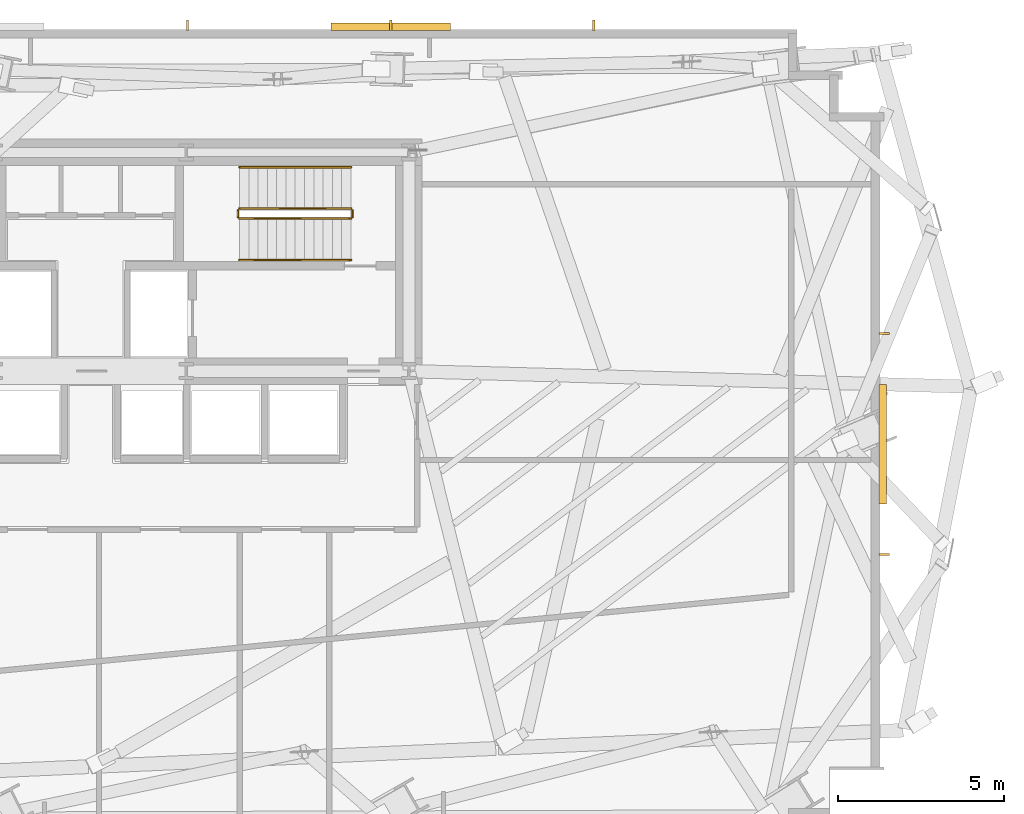
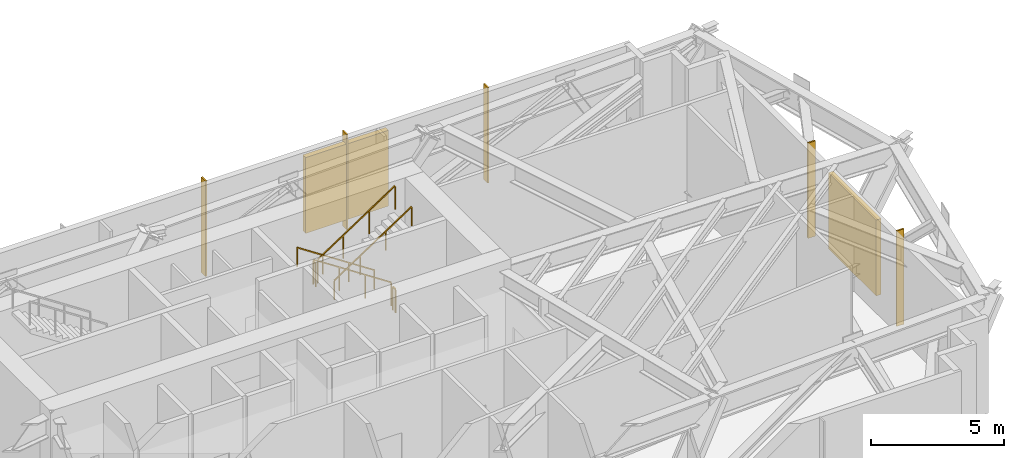
# One storey, part 11 of 11: 7 shading devices, 6 railings.
"""IFC4 building model written with IfcOpenShell, lengths in metres."""

from ifc_helpers import new_model, si_unit, direction, frame, origin, origin_2d, place, context, subcontext, project, spatial, rectangle, extrude, source, transform, mapped, material, type_object, type_shapes, element, save


model = new_model("IFC4")

# Units and contexts
model_context = context("Model", 3, precision=1e-05, world=origin(), true_north=direction((0.0, 1.0)))
body_context = subcontext(model_context, "Body", "Model", "MODEL_VIEW")
ifc_project = project(units=[si_unit("LENGTHUNIT", "METRE"), si_unit("AREAUNIT", "SQUARE_METRE"), si_unit("VOLUMEUNIT", "CUBIC_METRE"), si_unit("PLANEANGLEUNIT", "RADIAN"), si_unit("MASSUNIT", "GRAM", prefix="KILO")], contexts=[model_context])

# Site, building, storey
site_placement = place(None, origin())
site = spatial("IfcSite", under=ifc_project, at=site_placement, CompositionType="ELEMENT")
building_placement = place(site_placement, origin())
building = spatial("IfcBuilding", under=site, at=building_placement, Name="Astriad Promenade Condominiums", CompositionType="ELEMENT")
storey_placement = place(building_placement, frame((0.0, 0.0, 67.800048828125)))
storey = spatial("IfcBuildingStorey", under=building, at=storey_placement, Name="L19", CompositionType="ELEMENT", Elevation=67.800048828125)

# Shading devices
ifc_material_1 = material(Name="Anodised aluminium 6063-T6 Black Louvre", Category="aluminium")
shading_device_type_1 = type_object("IfcShadingDeviceType", Name="LOUVRE-ACOUSTIC-220", PredefinedType="JALOUSIE", material=ifc_material_1)
shared_shape_1 = source(origin(), body_context, "Body", "SweptSolid", [
    extrude(rectangle(XDim=3.60009765625, YDim=0.219970703125, at=origin_2d()), origin(), (0.0, 0.0, 1.0), 3.47998046875),
])
type_shapes(shading_device_type_1, [shared_shape_1])
for number, where, z_axis, x_axis, name in (
    (1, (45.050048828125, 27.7900390625, 0.449951171875), (0.0, 0.0, 1.0), (1.0, 0.0, 0.0), "LVR-L19-N-3"),
    (2, (59.889892578125, 15.199951171875, 0.449951171875), (0.0, 0.0, 1.0), (0.0, -1.0, 0.0), "LVR-L19-E-1"),
):
    element("IfcShadingDevice", number, at=place(storey_placement, frame(where, z_axis=z_axis, x_axis=x_axis)), inside=storey, type_object=shading_device_type_1, Name=name, PredefinedType="JALOUSIE", context=body_context, shape_type="MappedRepresentation", body=[
        mapped(shared_shape_1, transform((0.0, 0.0, 0.0), scale=1.0)),
    ])
ifc_material_2 = material(Name="Anodised aluminium 6063-T6 Black Fin", Category="aluminium")
shading_device_type_2 = type_object("IfcShadingDeviceType", Name="FIN-BLACK-320", PredefinedType="USERDEFINED", material=ifc_material_2)
shared_shape_2 = source(origin(), body_context, "Body", "SweptSolid", [
    extrude(rectangle(XDim=0.06494140625, YDim=0.320068359375, at=origin_2d()), origin(), (0.0, 0.0, 1.0), 4.3798828125),
])
type_shapes(shading_device_type_2, [shared_shape_2])
for number, where, z_axis, x_axis, name in (
    (3, (38.925048828125, 27.830078125, 0.0), (0.0, 0.0, 1.0), (1.0, 0.0, 0.0), "FIN-PLT-L19-N-05"),
    (4, (45.050048828125, 27.830078125, 0.0), (0.0, 0.0, 1.0), (1.0, 0.0, 0.0), "FIN-PLT-L19-N-06"),
    (5, (51.175048828125, 27.830078125, 0.0), (0.0, 0.0, 1.0), (1.0, 0.0, 0.0), "FIN-PLT-L19-N-07"),
    (6, (59.929931640625, 18.533203125, 0.0), (0.0, 0.0, 1.0), (0.0, -1.0, 0.0), "FIN-PLT-L19-E-01"),
    (7, (59.929931640625, 11.86669921875, 0.0), (0.0, 0.0, 1.0), (0.0, -1.0, 0.0), "FIN-PLT-L19-E-02"),
):
    element("IfcShadingDevice", number, at=place(storey_placement, frame(where, z_axis=z_axis, x_axis=x_axis)), inside=storey, type_object=shading_device_type_2, Name=name, ObjectType="FIN", PredefinedType="USERDEFINED", context=body_context, shape_type="MappedRepresentation", body=[
        mapped(shared_shape_2, transform((0.0, 0.0, 0.0), scale=1.0)),
    ])

# Railings
ifc_material_3 = material(Name="Painted Galvanised Steel Guardrail", Category="steel")
railing_type_1 = type_object("IfcRailingType", Name="GRD-STAIR-1100", PredefinedType="GUARDRAIL", material=ifc_material_3)
shared_shape_3 = source(origin(), body_context, "Body", "SweptSolid", [
    extrude(rectangle(XDim=0.048095703125, YDim=0.048095703125, at=origin_2d()), frame((0.0, 0.0, 1.076171875), z_axis=(-0.834876476806, 0.0, 0.550437342915), x_axis=(0.0, -1.0, 0.0)), (0.0, 0.0, 1.0), 4.024658203125),
    extrude(rectangle(XDim=0.0419921875, YDim=0.0419921875, at=origin_2d()), origin(), (0.0, 0.0, 1.0), 1.052001953125),
    extrude(rectangle(XDim=0.0419921875, YDim=0.0419921875, at=origin_2d()), frame((-1.1201171875, 0.0, 0.738525390625)), (0.0, 0.0, 1.0), 1.052001953125),
    extrude(rectangle(XDim=0.0419921875, YDim=0.0419921875, at=origin_2d()), frame((-2.239990234375, 0.0, 1.476806640625)), (0.0, 0.0, 1.0), 1.052001953125),
    extrude(rectangle(XDim=0.0419921875, YDim=0.0419921875, at=origin_2d()), frame((-3.360107421875, 0.0, 2.21533203125)), (0.0, 0.0, 1.0), 1.052001953125),
])
railing_1_placement = place(storey_placement, frame((43.85009765625, 22.300048828125, 0.1845703125)))
element("IfcRailing", 8, at=railing_1_placement, inside=storey, type_object=railing_type_1, Name="L19 ST-2 stair guard 1", PredefinedType="GUARDRAIL", context=body_context, shape_type="MappedRepresentation", body=[
    mapped(shared_shape_3, transform((0.0, 0.0, 0.0), scale=1.0)),
])
ifc_material_4 = material(Name="Brushed Stainless Steel Handrail", Category="steel")
railing_type_2 = type_object("IfcRailingType", Name="HRL-STAIR-920", PredefinedType="HANDRAIL", material=ifc_material_4)
shared_shape_4 = source(origin(), body_context, "Body", "SweptSolid", [
    extrude(rectangle(XDim=0.048095703125, YDim=0.048095703125, at=origin_2d()), frame((0.0, 0.0, 0.8759765625), z_axis=(-0.834876476806, 0.0, 0.550437342915), x_axis=(0.0, -1.0, 0.0)), (0.0, 0.0, 1.0), 4.024658203125),
    extrude(rectangle(XDim=0.0419921875, YDim=0.0419921875, at=origin_2d()), origin(), (0.0, 0.0, 1.0), 0.851806640625),
    extrude(rectangle(XDim=0.0419921875, YDim=0.0419921875, at=origin_2d()), frame((-1.1201171875, 0.0, 0.738525390625)), (0.0, 0.0, 1.0), 0.851806640625),
    extrude(rectangle(XDim=0.0419921875, YDim=0.0419921875, at=origin_2d()), frame((-2.239990234375, 0.0, 1.476806640625)), (0.0, 0.0, 1.0), 0.851806640625),
    extrude(rectangle(XDim=0.0419921875, YDim=0.0419921875, at=origin_2d()), frame((-3.360107421875, 0.0, 2.21533203125)), (0.0, 0.0, 1.0), 0.851806640625),
])
railing_2_placement = place(storey_placement, frame((43.85009765625, 23.550048828125, 0.1845703125)))
element("IfcRailing", 9, at=railing_2_placement, inside=storey, type_object=railing_type_2, Name="L19 ST-2 stair handrail 1", PredefinedType="HANDRAIL", context=body_context, shape_type="MappedRepresentation", body=[
    mapped(shared_shape_4, transform((0.0, 0.0, 0.0), scale=1.0)),
])
shared_shape_5 = source(origin(), body_context, "Body", "SweptSolid", [
    extrude(rectangle(XDim=0.048095703125, YDim=0.048095703125, at=origin_2d()), frame((0.0, 0.0, 1.076171875), z_axis=(0.0, -1.0, 0.0), x_axis=(1.0, 0.0, 0.0)), (0.0, 0.0, 1.0), 0.199951171875),
    extrude(rectangle(XDim=0.0419921875, YDim=0.0419921875, at=origin_2d()), origin(), (0.0, 0.0, 1.0), 1.052001953125),
    extrude(rectangle(XDim=0.0419921875, YDim=0.0419921875, at=origin_2d()), frame((0.0, -0.199951171875, 0.0)), (0.0, 0.0, 1.0), 1.052001953125),
])
for number, where, name in (
    (10, (40.43994140625, 22.25, 2.39990234375), "L19 ST-2 stair guard 2"),
    (11, (43.89990234375, 22.25, 0.0), "L19 ST-2 stair guard 4"),
):
    element("IfcRailing", number, at=place(storey_placement, frame(where)), inside=storey, type_object=railing_type_1, Name=name, PredefinedType="GUARDRAIL", context=body_context, shape_type="MappedRepresentation", body=[
        mapped(shared_shape_5, transform((0.0, 0.0, 0.0), scale=1.0)),
    ])
shared_shape_6 = source(origin(), body_context, "Body", "SweptSolid", [
    extrude(rectangle(XDim=0.048095703125, YDim=0.048095703125, at=origin_2d()), frame((0.0, 0.0, 1.076171875), z_axis=(0.834848600103, 0.0, 0.550479622607), x_axis=(0.0, 1.0, 0.0)), (0.0, 0.0, 1.0), 4.02490234375),
    extrude(rectangle(XDim=0.0419921875, YDim=0.0419921875, at=origin_2d()), origin(), (0.0, 0.0, 1.0), 1.052001953125),
    extrude(rectangle(XDim=0.0419921875, YDim=0.0419921875, at=origin_2d()), frame((1.1201171875, 0.0, 0.738525390625)), (0.0, 0.0, 1.0), 1.052001953125),
    extrude(rectangle(XDim=0.0419921875, YDim=0.0419921875, at=origin_2d()), frame((2.239990234375, 0.0, 1.47705078125)), (0.0, 0.0, 1.0), 1.052001953125),
    extrude(rectangle(XDim=0.0419921875, YDim=0.0419921875, at=origin_2d()), frame((3.360107421875, 0.0, 2.215576171875)), (0.0, 0.0, 1.0), 1.052001953125),
])
type_shapes(railing_type_1, [shared_shape_3, shared_shape_5, shared_shape_6])
railing_3_placement = place(storey_placement, frame((40.489990234375, 22.0, 2.58447265625)))
element("IfcRailing", 12, at=railing_3_placement, inside=storey, type_object=railing_type_1, Name="L19 ST-2 stair guard 3", PredefinedType="GUARDRAIL", context=body_context, shape_type="MappedRepresentation", body=[
    mapped(shared_shape_6, transform((0.0, 0.0, 0.0), scale=1.0)),
])
shared_shape_7 = source(origin(), body_context, "Body", "SweptSolid", [
    extrude(rectangle(XDim=0.048095703125, YDim=0.048095703125, at=origin_2d()), frame((0.0, 0.0, 0.8759765625), z_axis=(0.834848600103, 0.0, 0.550479622607), x_axis=(0.0, 1.0, 0.0)), (0.0, 0.0, 1.0), 4.02490234375),
    extrude(rectangle(XDim=0.0419921875, YDim=0.0419921875, at=origin_2d()), origin(), (0.0, 0.0, 1.0), 0.851806640625),
    extrude(rectangle(XDim=0.0419921875, YDim=0.0419921875, at=origin_2d()), frame((1.1201171875, 0.0, 0.738525390625)), (0.0, 0.0, 1.0), 0.851806640625),
    extrude(rectangle(XDim=0.0419921875, YDim=0.0419921875, at=origin_2d()), frame((2.239990234375, 0.0, 1.47705078125)), (0.0, 0.0, 1.0), 0.851806640625),
    extrude(rectangle(XDim=0.0419921875, YDim=0.0419921875, at=origin_2d()), frame((3.360107421875, 0.0, 2.215576171875)), (0.0, 0.0, 1.0), 0.851806640625),
])
type_shapes(railing_type_2, [shared_shape_4, shared_shape_7])
railing_4_placement = place(storey_placement, frame((40.489990234375, 20.75, 2.58447265625)))
element("IfcRailing", 13, at=railing_4_placement, inside=storey, type_object=railing_type_2, Name="L19 ST-2 stair handrail 2", PredefinedType="HANDRAIL", context=body_context, shape_type="MappedRepresentation", body=[
    mapped(shared_shape_7, transform((0.0, 0.0, 0.0), scale=1.0)),
])

save(model, "model.ifc")
